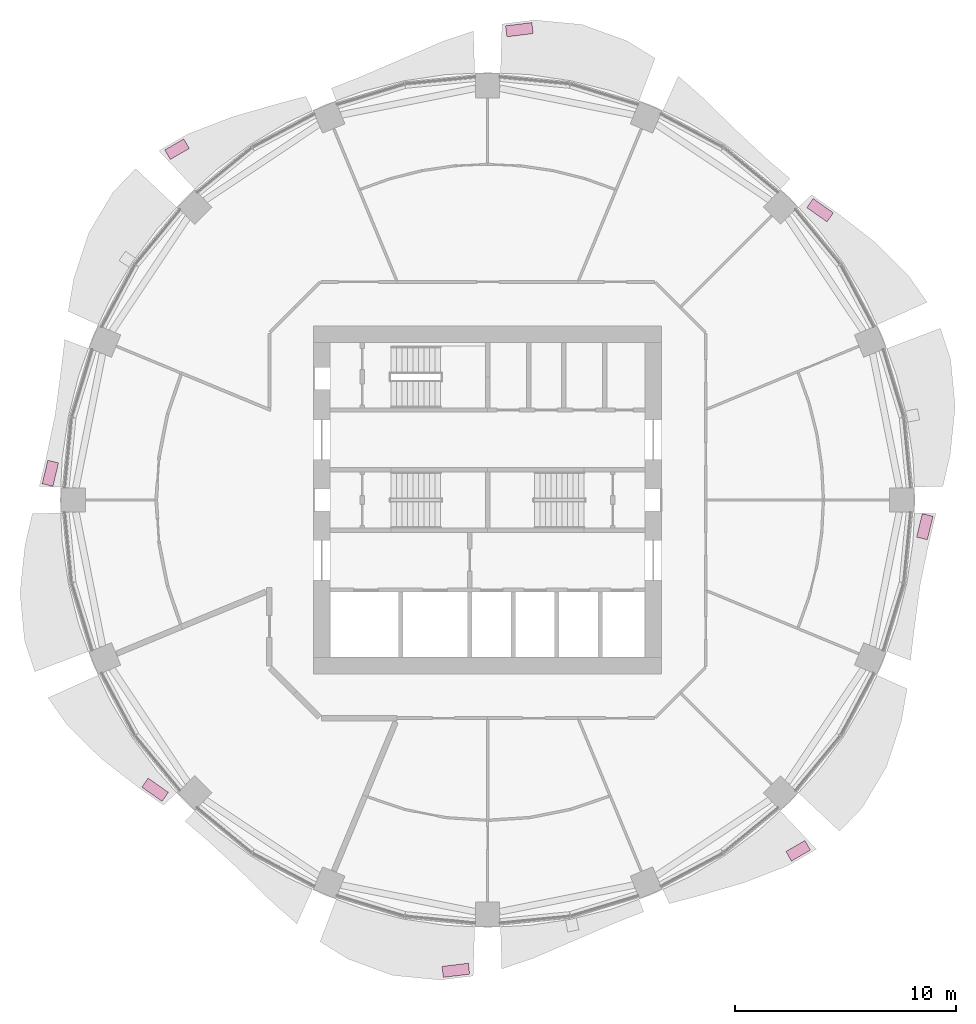
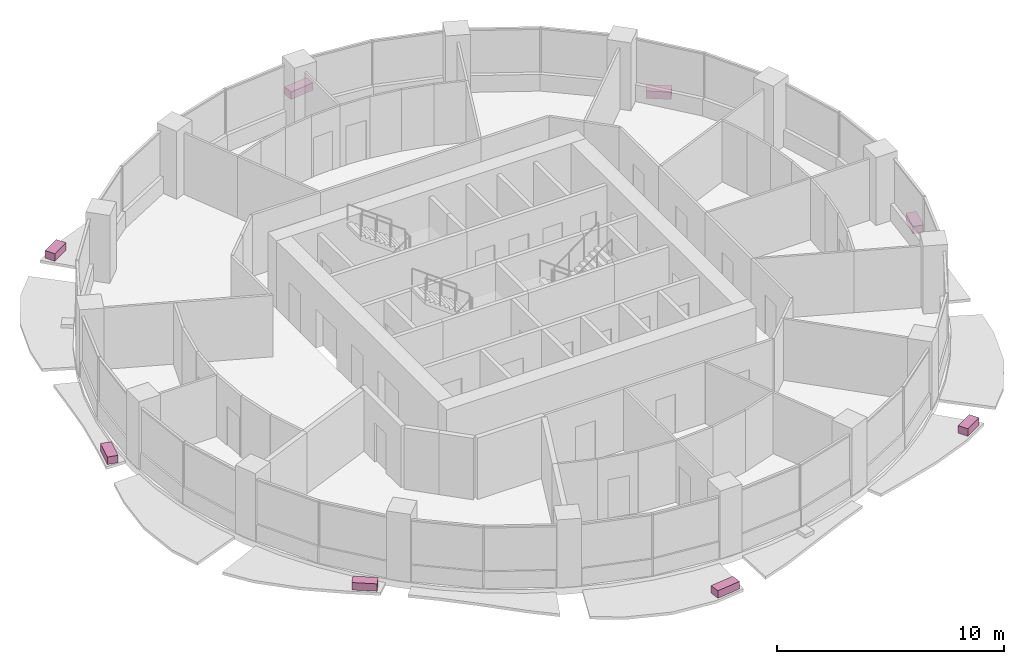
# One storey, part 15 of 15: 8 furniture elements.
"""IFC4 building model written with IfcOpenShell, lengths in metres."""

from ifc_helpers import new_model, si_unit, direction, frame, origin, origin_2d, place, context, subcontext, project, spatial, rectangle, extrude, material, type_object, element, save


model = new_model("IFC4")

# Units and contexts
model_context = context("Model", 3, precision=1e-05, world=origin(), true_north=direction((0.0, 1.0)))
body_context = subcontext(model_context, "Body", "Model", "MODEL_VIEW")
ifc_project = project(units=[si_unit("LENGTHUNIT", "METRE"), si_unit("AREAUNIT", "SQUARE_METRE"), si_unit("VOLUMEUNIT", "CUBIC_METRE"), si_unit("PLANEANGLEUNIT", "RADIAN"), si_unit("MASSUNIT", "GRAM", prefix="KILO")], contexts=[model_context])

# Site, building, storey
site_placement = place(None, origin())
site = spatial("IfcSite", under=ifc_project, at=site_placement, CompositionType="ELEMENT")
building_placement = place(site_placement, origin())
building = spatial("IfcBuilding", under=site, at=building_placement, Name="Polderwave Tower", CompositionType="ELEMENT")
storey_placement = place(building_placement, frame((0.0, 0.0, 87.35009765625)))
storey = spatial("IfcBuildingStorey", under=building, at=storey_placement, Name="L22", CompositionType="ELEMENT", Elevation=87.35009765625)

# Furniture
ifc_material = material(Name="Terracotta", Category="masonry")
furniture_type = type_object("IfcFurnitureType", Name="Terracotta planting trough", AssemblyPlace="NOTDEFINED", PredefinedType="USERDEFINED", material=ifc_material)
furniture_1_placement = place(storey_placement, frame((15.05078125, 13.1162109375, -0.199951171875), z_axis=(0.0, 0.0, 1.0), x_axis=(-0.817471737718, 0.57596871272, 0.0)))
element("IfcFurniture", 1, at=furniture_1_placement, inside=storey, type_object=furniture_type, Name="Planting trough L22 2", ObjectType="PLANTER", PredefinedType="USERDEFINED", context=body_context, shape_type="SweptSolid", body=[
    extrude(rectangle(XDim=1.119873046875, YDim=0.5, at=origin_2d()), origin(), (0.0, 0.0, 1.0), 0.39990234375),
])
furniture_2_placement = place(storey_placement, frame((1.438232421875, 21.289794921875, -0.199951171875), z_axis=(0.0, 0.0, 1.0), x_axis=(-0.992554657308, -0.121800050315, 0.0)))
element("IfcFurniture", 2, at=furniture_2_placement, inside=storey, type_object=furniture_type, Name="Planting trough L22 4", ObjectType="PLANTER", PredefinedType="USERDEFINED", context=body_context, shape_type="SweptSolid", body=[
    extrude(rectangle(XDim=1.2001953125, YDim=0.5, at=origin_2d()), origin(), (0.0, 0.0, 1.0), 0.39990234375),
])
furniture_3_placement = place(storey_placement, frame((-14.058837890625, 15.87939453125, -0.199951171875), z_axis=(0.0, 0.0, 1.0), x_axis=(-0.865565143258, -0.500796348606, 0.0)))
element("IfcFurniture", 3, at=furniture_3_placement, inside=storey, type_object=furniture_type, Name="Planting trough L22 6", ObjectType="PLANTER", PredefinedType="USERDEFINED", context=body_context, shape_type="SweptSolid", body=[
    extrude(rectangle(XDim=0.994140625, YDim=0.5, at=origin_2d()), origin(), (0.0, 0.0, 1.0), 0.39990234375),
])
furniture_4_placement = place(storey_placement, frame((-19.792236328125, 1.208251953125, -0.199951171875), z_axis=(0.0, 0.0, 1.0), x_axis=(-0.233917131734, -0.972256537896, 0.0)))
element("IfcFurniture", 4, at=furniture_4_placement, inside=storey, type_object=furniture_type, Name="Planting trough L22 8", ObjectType="PLANTER", PredefinedType="USERDEFINED", context=body_context, shape_type="SweptSolid", body=[
    extrude(rectangle(XDim=1.09228515625, YDim=0.5, at=origin_2d()), origin(), (0.0, 0.0, 1.0), 0.39990234375),
])
furniture_5_placement = place(storey_placement, frame((-15.05078125, -13.1162109375, -0.199951171875), z_axis=(0.0, 0.0, 1.0), x_axis=(0.817471737718, -0.57596871272, 0.0)))
element("IfcFurniture", 5, at=furniture_5_placement, inside=storey, type_object=furniture_type, Name="Planting trough L22 10", ObjectType="PLANTER", PredefinedType="USERDEFINED", context=body_context, shape_type="SweptSolid", body=[
    extrude(rectangle(XDim=1.119873046875, YDim=0.5, at=origin_2d()), origin(), (0.0, 0.0, 1.0), 0.39990234375),
])
furniture_6_placement = place(storey_placement, frame((-1.438232421875, -21.289794921875, -0.199951171875), z_axis=(0.0, 0.0, 1.0), x_axis=(0.992554657308, 0.121800050315, 0.0)))
element("IfcFurniture", 6, at=furniture_6_placement, inside=storey, type_object=furniture_type, Name="Planting trough L22 12", ObjectType="PLANTER", PredefinedType="USERDEFINED", context=body_context, shape_type="SweptSolid", body=[
    extrude(rectangle(XDim=1.2001953125, YDim=0.5, at=origin_2d()), origin(), (0.0, 0.0, 1.0), 0.39990234375),
])
furniture_7_placement = place(storey_placement, frame((14.058837890625, -15.87939453125, -0.199951171875), z_axis=(0.0, 0.0, 1.0), x_axis=(0.865565143258, 0.500796348606, 0.0)))
element("IfcFurniture", 7, at=furniture_7_placement, inside=storey, type_object=furniture_type, Name="Planting trough L22 14", ObjectType="PLANTER", PredefinedType="USERDEFINED", context=body_context, shape_type="SweptSolid", body=[
    extrude(rectangle(XDim=0.994140625, YDim=0.5, at=origin_2d()), origin(), (0.0, 0.0, 1.0), 0.39990234375),
])
furniture_8_placement = place(storey_placement, frame((19.792236328125, -1.208251953125, -0.199951171875), z_axis=(0.0, 0.0, 1.0), x_axis=(0.233917131734, 0.972256537896, 0.0)))
element("IfcFurniture", 8, at=furniture_8_placement, inside=storey, type_object=furniture_type, Name="Planting trough L22 16", ObjectType="PLANTER", PredefinedType="USERDEFINED", context=body_context, shape_type="SweptSolid", body=[
    extrude(rectangle(XDim=1.09228515625, YDim=0.5, at=origin_2d()), origin(), (0.0, 0.0, 1.0), 0.39990234375),
])

save(model, "model.ifc")
